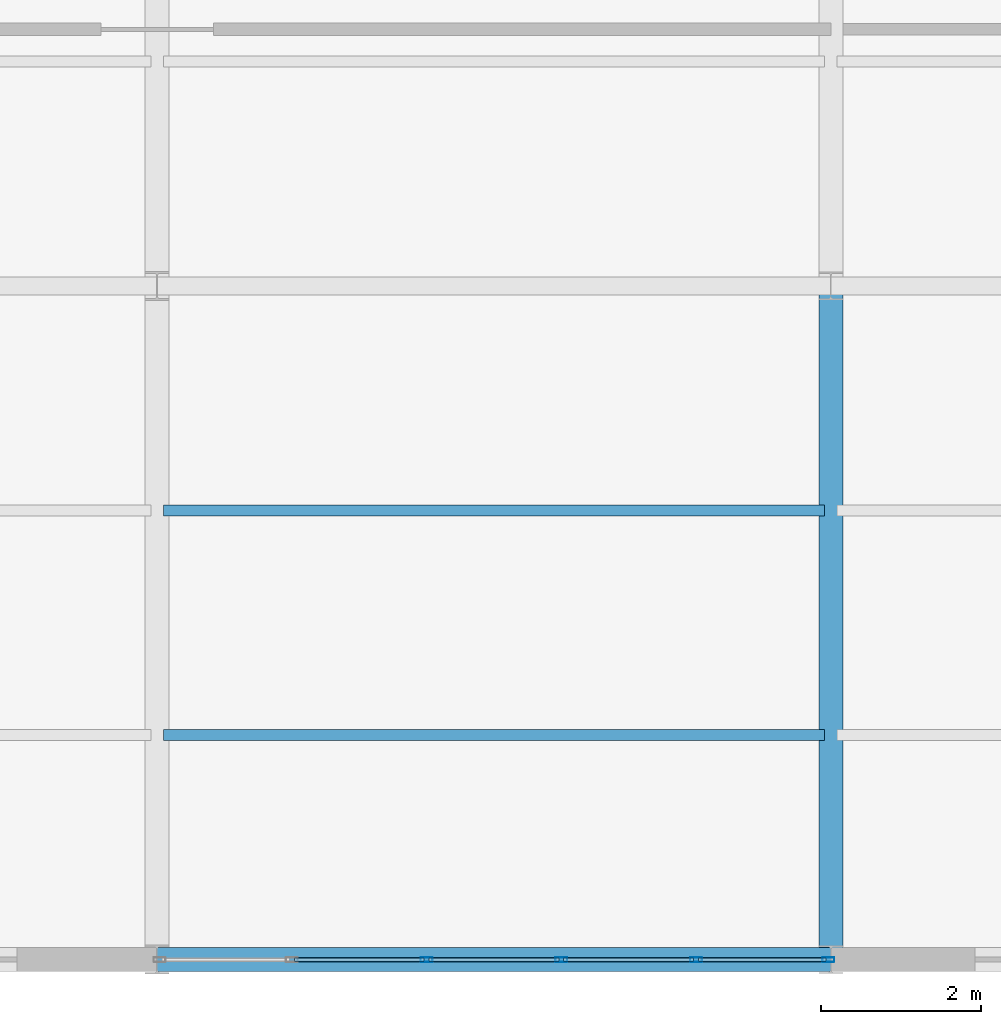
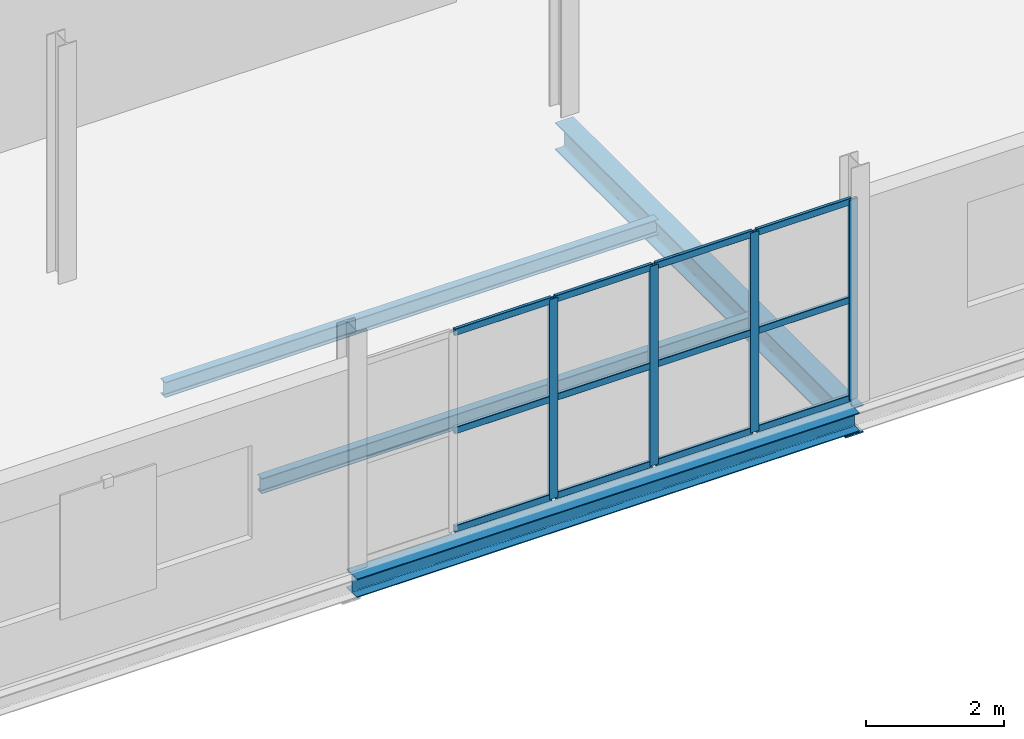
# One storey, part 65 of 163: 16 members, 4 beams, 1 element without a shape of its own.
"""IFC4 building model written with IfcOpenShell, lengths in metres."""

from ifc_helpers import new_model, si_unit, direction, frame, origin, origin_2d, place, context, subcontext, project, spatial, hollow_rectangle, i_section, extrude, material, layer, layer_set, material_profile, profile_set, type_object, element, aggregate, save


model = new_model("IFC4")

# Units and contexts
model_context = context("Model", 3, precision=1e-05, world=origin(), true_north=direction((0.0, 1.0)))
body_context = subcontext(model_context, "Body", "Model", "MODEL_VIEW")
ifc_project = project(units=[si_unit("LENGTHUNIT", "METRE"), si_unit("AREAUNIT", "SQUARE_METRE"), si_unit("VOLUMEUNIT", "CUBIC_METRE"), si_unit("PLANEANGLEUNIT", "RADIAN"), si_unit("MASSUNIT", "GRAM", prefix="KILO")], contexts=[model_context])

# Site, building, storey
site_placement = place(None, origin())
site = spatial("IfcSite", under=ifc_project, at=site_placement, CompositionType="ELEMENT")
building_placement = place(site_placement, origin())
building = spatial("IfcBuilding", under=site, at=building_placement, Name="Qalvenar Corner Mobility Hub", CompositionType="ELEMENT")
storey_placement = place(building_placement, frame((0.0, 0.0, 4.800048828125)))
storey = spatial("IfcBuildingStorey", under=building, at=storey_placement, Name="L01", CompositionType="ELEMENT", Elevation=4.800048828125)

# Beams
ifc_material_1 = material(Name="Steel S355", Category="steel")
ifc_material_profile_1 = material_profile(ifc_material_1, i_section(OverallWidth=0.300048828125, OverallDepth=0.489990234375, WebThickness=0.011962890625, FlangeThickness=0.02294921875, FilletRadius=0.027099609375, at=origin_2d()), Name="HEA500")
ifc_profile_set_1 = profile_set([ifc_material_profile_1], Name="Steel S355")
beam_type_1 = type_object("IfcBeamType", Name="BM-HEA500", PredefinedType="BEAM", material=ifc_profile_set_1)
beam_1_placement = place(storey_placement, frame((126.0, 0.0, -0.425048828125), z_axis=(0.0, 1.0, 0.0), x_axis=(-1.0, 0.0, 0.0)))
element("IfcBeam", 1, at=beam_1_placement, inside=storey, type_object=beam_type_1, Name="Primary Steel Girder GY-1038", PredefinedType="BEAM", context=body_context, shape_type="SweptSolid", body=[
    extrude(i_section(OverallWidth=0.300048828125, OverallDepth=0.489990234375, WebThickness=0.011962890625, FlangeThickness=0.02294921875, FilletRadius=0.027099609375, at=origin_2d()), origin(), (0.0, 0.0, 1.0), 8.39990234375),
])
ifc_material_profile_2 = material_profile(ifc_material_1, i_section(OverallWidth=0.135009765625, OverallDepth=0.27001953125, WebThickness=0.006591796875, FlangeThickness=0.01025390625, FilletRadius=0.014892578125, at=origin_2d()), Name="IPE270")
ifc_profile_set_2 = profile_set([ifc_material_profile_2], Name="Steel S355")
beam_type_2 = type_object("IfcBeamType", Name="BM-JST270", PredefinedType="JOIST", material=ifc_profile_set_2)
for number, where, z_axis, x_axis, name in (
    (2, (117.677978515625, 2.800048828125, -0.31494140625), (1.0, 0.0, 0.0), (0.0, 1.0, 0.0), "Composite Floor Joist J-1086"),
    (3, (117.677978515625, 5.60009765625, -0.31494140625), (1.0, 0.0, 0.0), (0.0, 1.0, 0.0), "Composite Floor Joist J-1087"),
):
    element("IfcBeam", number, at=place(storey_placement, frame(where, z_axis=z_axis, x_axis=x_axis)), inside=storey, type_object=beam_type_2, Name=name, PredefinedType="JOIST", context=body_context, shape_type="SweptSolid", body=[
        extrude(i_section(OverallWidth=0.135009765625, OverallDepth=0.27001953125, WebThickness=0.006591796875, FlangeThickness=0.01025390625, FilletRadius=0.014892578125, at=origin_2d()), origin(), (0.0, 0.0, 1.0), 8.244140625),
    ])
ifc_material_profile_3 = material_profile(ifc_material_1, i_section(OverallWidth=0.300048828125, OverallDepth=0.330078125, WebThickness=0.009521484375, FlangeThickness=0.0166015625, FilletRadius=0.027099609375, at=origin_2d()), Name="HEA340")
ifc_profile_set_3 = profile_set([ifc_material_profile_3], Name="Steel S355")
beam_type_3 = type_object("IfcBeamType", Name="BM-SPN340", PredefinedType="SPANDREL", material=ifc_profile_set_3)
beam_2_placement = place(storey_placement, frame((117.60009765625, 0.0, -0.344970703125), z_axis=(1.0, 0.0, 0.0), x_axis=(0.0, 1.0, 0.0)))
element("IfcBeam", 4, at=beam_2_placement, inside=storey, type_object=beam_type_3, Name="Primary Steel Girder GX-0979", PredefinedType="SPANDREL", context=body_context, shape_type="SweptSolid", body=[
    extrude(i_section(OverallWidth=0.300048828125, OverallDepth=0.330078125, WebThickness=0.009521484375, FlangeThickness=0.0166015625, FilletRadius=0.027099609375, at=origin_2d()), origin(), (0.0, 0.0, 1.0), 8.39990234375),
])

# Curtain wall, members
ifc_material_2 = material(Name="Anodised Aluminium and Low-E Glazing", Category="aluminium")
ifc_layer = layer(ifc_material_2, 0.14990234375)
ifc_layer_set = layer_set([ifc_layer], Name="Anodised Aluminium and Low-E Glazing")
curtain_wall_type = type_object("IfcCurtainWallType", Name="CW-WKS-84X44", PredefinedType="NOTDEFINED", material=ifc_layer_set)
curtain_wall_placement = place(storey_placement, origin())
curtain_wall = element("IfcCurtainWall", 5, at=curtain_wall_placement, inside=storey, type_object=curtain_wall_type, Name="Glazed Curtain Wall CW-V6-L01-S1", PredefinedType="NOTDEFINED")
ifc_material_3 = material(Name="Anodised Aluminium 6063-T6", Category="aluminium")
ifc_material_profile_4 = material_profile(ifc_material_3, hollow_rectangle(XDim=0.06005859375, YDim=0.14990234375, WallThickness=0.00390625, InnerFilletRadius=0.00390625, OuterFilletRadius=0.008056640625, at=origin_2d()), Name="RHS150x60x4")
ifc_profile_set_4 = profile_set([ifc_material_profile_4], Name="Anodised Aluminium 6063-T6")
member_type_1 = type_object("IfcMemberType", Name="CW-MUL150", PredefinedType="MULLION", material=ifc_profile_set_4)
member_1_placement = place(storey_placement, frame((120.9599609375, 0.0, 0.0), z_axis=(0.0, 0.0, 1.0), x_axis=(0.0, 1.0, 0.0)))
member_1 = element("IfcMember", 6, at=member_1_placement, type_object=member_type_1, Name="CW-09 mullion 3", PredefinedType="MULLION", context=body_context, shape_type="SweptSolid", body=[
    extrude(hollow_rectangle(XDim=0.06005859375, YDim=0.14990234375, WallThickness=0.00390625, InnerFilletRadius=0.00390625, OuterFilletRadius=0.008056640625, at=origin_2d()), origin(), (0.0, 0.0, 1.0), 3.530029296875),
])
member_2_placement = place(storey_placement, frame((122.639892578125, 0.0, 0.0), z_axis=(0.0, 0.0, 1.0), x_axis=(0.0, 1.0, 0.0)))
member_2 = element("IfcMember", 7, at=member_2_placement, type_object=member_type_1, Name="CW-09 mullion 4", PredefinedType="MULLION", context=body_context, shape_type="SweptSolid", body=[
    extrude(hollow_rectangle(XDim=0.06005859375, YDim=0.14990234375, WallThickness=0.00390625, InnerFilletRadius=0.00390625, OuterFilletRadius=0.008056640625, at=origin_2d()), origin(), (0.0, 0.0, 1.0), 3.530029296875),
])
member_3_placement = place(storey_placement, frame((124.320068359375, 0.0, 0.0), z_axis=(0.0, 0.0, 1.0), x_axis=(0.0, 1.0, 0.0)))
member_3 = element("IfcMember", 8, at=member_3_placement, type_object=member_type_1, Name="CW-09 mullion 5", PredefinedType="MULLION", context=body_context, shape_type="SweptSolid", body=[
    extrude(hollow_rectangle(XDim=0.06005859375, YDim=0.14990234375, WallThickness=0.00390625, InnerFilletRadius=0.00390625, OuterFilletRadius=0.008056640625, at=origin_2d()), origin(), (0.0, 0.0, 1.0), 3.530029296875),
])
member_4_placement = place(storey_placement, frame((125.969970703125, 0.0, 0.0), z_axis=(0.0, 0.0, 1.0), x_axis=(0.0, 1.0, 0.0)))
member_4 = element("IfcMember", 9, at=member_4_placement, type_object=member_type_1, Name="CW-09 mullion 6", PredefinedType="MULLION", context=body_context, shape_type="SweptSolid", body=[
    extrude(hollow_rectangle(XDim=0.06005859375, YDim=0.14990234375, WallThickness=0.00390625, InnerFilletRadius=0.00390625, OuterFilletRadius=0.008056640625, at=origin_2d()), origin(), (0.0, 0.0, 1.0), 3.530029296875),
])
ifc_material_profile_5 = material_profile(ifc_material_3, hollow_rectangle(XDim=0.054931640625, YDim=0.1201171875, WallThickness=0.00341796875, InnerFilletRadius=0.00341796875, OuterFilletRadius=0.007080078125, at=origin_2d()), Name="RHS120x55x3.5")
ifc_profile_set_5 = profile_set([ifc_material_profile_5], Name="Anodised Aluminium 6063-T6")
member_type_2 = type_object("IfcMemberType", Name="CW-TRN120", PredefinedType="USERDEFINED", material=ifc_profile_set_5)
member_5_placement = place(storey_placement, frame((119.31005859375, 0.0, 0.02734375), z_axis=(1.0, 0.0, 0.0), x_axis=(0.0, 1.0, 0.0)))
member_5 = element("IfcMember", 10, at=member_5_placement, type_object=member_type_2, Name="CW-09 transom 2.1", ObjectType="TRANSOM", PredefinedType="USERDEFINED", context=body_context, shape_type="SweptSolid", body=[
    extrude(hollow_rectangle(XDim=0.054931640625, YDim=0.1201171875, WallThickness=0.00341796875, InnerFilletRadius=0.00341796875, OuterFilletRadius=0.007080078125, at=origin_2d()), origin(), (0.0, 0.0, 1.0), 1.619873046875),
])
member_6_placement = place(storey_placement, frame((119.31005859375, 0.0, 1.764892578125), z_axis=(1.0, 0.0, 0.0), x_axis=(0.0, 1.0, 0.0)))
member_6 = element("IfcMember", 11, at=member_6_placement, type_object=member_type_2, Name="CW-09 transom 2.2", ObjectType="TRANSOM", PredefinedType="USERDEFINED", context=body_context, shape_type="SweptSolid", body=[
    extrude(hollow_rectangle(XDim=0.054931640625, YDim=0.1201171875, WallThickness=0.00341796875, InnerFilletRadius=0.00341796875, OuterFilletRadius=0.007080078125, at=origin_2d()), origin(), (0.0, 0.0, 1.0), 1.619873046875),
])
member_7_placement = place(storey_placement, frame((119.31005859375, 0.0, 3.50244140625), z_axis=(1.0, 0.0, 0.0), x_axis=(0.0, 1.0, 0.0)))
member_7 = element("IfcMember", 12, at=member_7_placement, type_object=member_type_2, Name="CW-09 transom 2.3", ObjectType="TRANSOM", PredefinedType="USERDEFINED", context=body_context, shape_type="SweptSolid", body=[
    extrude(hollow_rectangle(XDim=0.054931640625, YDim=0.1201171875, WallThickness=0.00341796875, InnerFilletRadius=0.00341796875, OuterFilletRadius=0.007080078125, at=origin_2d()), origin(), (0.0, 0.0, 1.0), 1.619873046875),
])
member_8_placement = place(storey_placement, frame((120.989990234375, 0.0, 0.02734375), z_axis=(1.0, 0.0, 0.0), x_axis=(0.0, 1.0, 0.0)))
member_8 = element("IfcMember", 13, at=member_8_placement, type_object=member_type_2, Name="CW-09 transom 3.1", ObjectType="TRANSOM", PredefinedType="USERDEFINED", context=body_context, shape_type="SweptSolid", body=[
    extrude(hollow_rectangle(XDim=0.054931640625, YDim=0.1201171875, WallThickness=0.00341796875, InnerFilletRadius=0.00341796875, OuterFilletRadius=0.007080078125, at=origin_2d()), origin(), (0.0, 0.0, 1.0), 1.6201171875),
])
member_9_placement = place(storey_placement, frame((120.989990234375, 0.0, 1.764892578125), z_axis=(1.0, 0.0, 0.0), x_axis=(0.0, 1.0, 0.0)))
member_9 = element("IfcMember", 14, at=member_9_placement, type_object=member_type_2, Name="CW-09 transom 3.2", ObjectType="TRANSOM", PredefinedType="USERDEFINED", context=body_context, shape_type="SweptSolid", body=[
    extrude(hollow_rectangle(XDim=0.054931640625, YDim=0.1201171875, WallThickness=0.00341796875, InnerFilletRadius=0.00341796875, OuterFilletRadius=0.007080078125, at=origin_2d()), origin(), (0.0, 0.0, 1.0), 1.6201171875),
])
member_10_placement = place(storey_placement, frame((120.989990234375, 0.0, 3.50244140625), z_axis=(1.0, 0.0, 0.0), x_axis=(0.0, 1.0, 0.0)))
member_10 = element("IfcMember", 15, at=member_10_placement, type_object=member_type_2, Name="CW-09 transom 3.3", ObjectType="TRANSOM", PredefinedType="USERDEFINED", context=body_context, shape_type="SweptSolid", body=[
    extrude(hollow_rectangle(XDim=0.054931640625, YDim=0.1201171875, WallThickness=0.00341796875, InnerFilletRadius=0.00341796875, OuterFilletRadius=0.007080078125, at=origin_2d()), origin(), (0.0, 0.0, 1.0), 1.6201171875),
])
member_11_placement = place(storey_placement, frame((122.669921875, 0.0, 0.02734375), z_axis=(1.0, 0.0, 0.0), x_axis=(0.0, 1.0, 0.0)))
member_11 = element("IfcMember", 16, at=member_11_placement, type_object=member_type_2, Name="CW-09 transom 4.1", ObjectType="TRANSOM", PredefinedType="USERDEFINED", context=body_context, shape_type="SweptSolid", body=[
    extrude(hollow_rectangle(XDim=0.054931640625, YDim=0.1201171875, WallThickness=0.00341796875, InnerFilletRadius=0.00341796875, OuterFilletRadius=0.007080078125, at=origin_2d()), origin(), (0.0, 0.0, 1.0), 1.6201171875),
])
member_12_placement = place(storey_placement, frame((122.669921875, 0.0, 1.764892578125), z_axis=(1.0, 0.0, 0.0), x_axis=(0.0, 1.0, 0.0)))
member_12 = element("IfcMember", 17, at=member_12_placement, type_object=member_type_2, Name="CW-09 transom 4.2", ObjectType="TRANSOM", PredefinedType="USERDEFINED", context=body_context, shape_type="SweptSolid", body=[
    extrude(hollow_rectangle(XDim=0.054931640625, YDim=0.1201171875, WallThickness=0.00341796875, InnerFilletRadius=0.00341796875, OuterFilletRadius=0.007080078125, at=origin_2d()), origin(), (0.0, 0.0, 1.0), 1.6201171875),
])
member_13_placement = place(storey_placement, frame((122.669921875, 0.0, 3.50244140625), z_axis=(1.0, 0.0, 0.0), x_axis=(0.0, 1.0, 0.0)))
member_13 = element("IfcMember", 18, at=member_13_placement, type_object=member_type_2, Name="CW-09 transom 4.3", ObjectType="TRANSOM", PredefinedType="USERDEFINED", context=body_context, shape_type="SweptSolid", body=[
    extrude(hollow_rectangle(XDim=0.054931640625, YDim=0.1201171875, WallThickness=0.00341796875, InnerFilletRadius=0.00341796875, OuterFilletRadius=0.007080078125, at=origin_2d()), origin(), (0.0, 0.0, 1.0), 1.6201171875),
])
member_14_placement = place(storey_placement, frame((124.35009765625, 0.0, 0.02734375), z_axis=(1.0, 0.0, 0.0), x_axis=(0.0, 1.0, 0.0)))
member_14 = element("IfcMember", 19, at=member_14_placement, type_object=member_type_2, Name="CW-09 transom 5.1", ObjectType="TRANSOM", PredefinedType="USERDEFINED", context=body_context, shape_type="SweptSolid", body=[
    extrude(hollow_rectangle(XDim=0.054931640625, YDim=0.1201171875, WallThickness=0.00341796875, InnerFilletRadius=0.00341796875, OuterFilletRadius=0.007080078125, at=origin_2d()), origin(), (0.0, 0.0, 1.0), 1.58984375),
])
member_15_placement = place(storey_placement, frame((124.35009765625, 0.0, 1.764892578125), z_axis=(1.0, 0.0, 0.0), x_axis=(0.0, 1.0, 0.0)))
member_15 = element("IfcMember", 20, at=member_15_placement, type_object=member_type_2, Name="CW-09 transom 5.2", ObjectType="TRANSOM", PredefinedType="USERDEFINED", context=body_context, shape_type="SweptSolid", body=[
    extrude(hollow_rectangle(XDim=0.054931640625, YDim=0.1201171875, WallThickness=0.00341796875, InnerFilletRadius=0.00341796875, OuterFilletRadius=0.007080078125, at=origin_2d()), origin(), (0.0, 0.0, 1.0), 1.58984375),
])
member_16_placement = place(storey_placement, frame((124.35009765625, 0.0, 3.50244140625), z_axis=(1.0, 0.0, 0.0), x_axis=(0.0, 1.0, 0.0)))
member_16 = element("IfcMember", 21, at=member_16_placement, type_object=member_type_2, Name="CW-09 transom 5.3", ObjectType="TRANSOM", PredefinedType="USERDEFINED", context=body_context, shape_type="SweptSolid", body=[
    extrude(hollow_rectangle(XDim=0.054931640625, YDim=0.1201171875, WallThickness=0.00341796875, InnerFilletRadius=0.00341796875, OuterFilletRadius=0.007080078125, at=origin_2d()), origin(), (0.0, 0.0, 1.0), 1.58984375),
])
aggregate(curtain_wall, [member_1, member_2, member_3, member_4, member_5, member_6, member_7, member_8, member_9, member_10, member_11, member_12, member_13, member_14, member_15, member_16])

save(model, "model.ifc")
